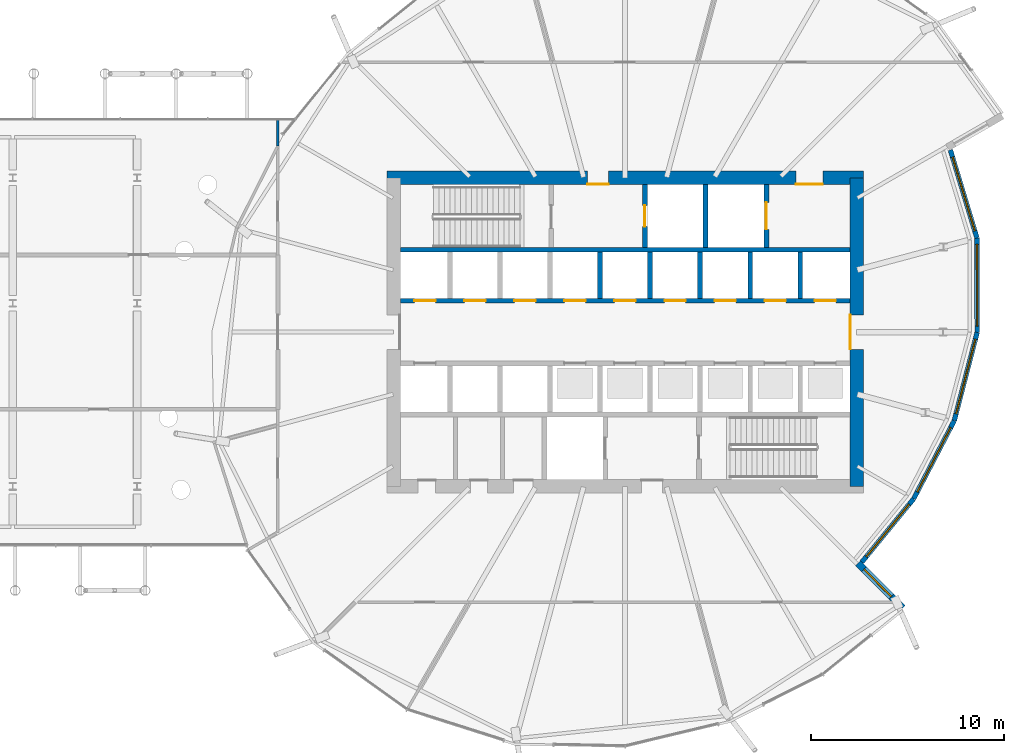
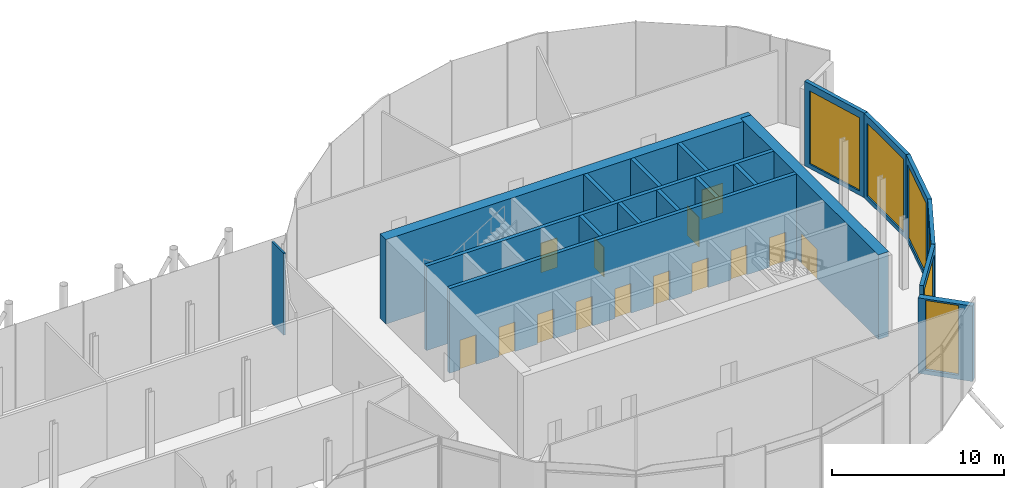
# One storey, part 23 of 38: 19 walls, 14 doors, 6 windows, 20 openings.
"""IFC4 building model written with IfcOpenShell, lengths in metres."""

from ifc_helpers import new_model, si_unit, direction, frame, frame_2d, origin, place, context, subcontext, project, spatial, rectangle, extrude, material, layer, layer_set, type_object, element, fill, save


model = new_model("IFC4")

# Units and contexts
model_context = context("Model", 3, precision=1e-05, world=origin(), true_north=direction((0.0, 1.0)))
body_context = subcontext(model_context, "Body", "Model", "MODEL_VIEW")
ifc_project = project(units=[si_unit("LENGTHUNIT", "METRE"), si_unit("AREAUNIT", "SQUARE_METRE"), si_unit("VOLUMEUNIT", "CUBIC_METRE"), si_unit("PLANEANGLEUNIT", "RADIAN"), si_unit("MASSUNIT", "GRAM", prefix="KILO")], contexts=[model_context])

# Site, building, storey
site_placement = place(None, origin())
site = spatial("IfcSite", under=ifc_project, at=site_placement, CompositionType="ELEMENT")
building_placement = place(site_placement, origin())
building = spatial("IfcBuilding", under=site, at=building_placement, Name="Rimbun Link Towers", CompositionType="ELEMENT")
storey_placement = place(building_placement, frame((0.0, 0.0, 133.199951171875)))
storey = spatial("IfcBuildingStorey", under=building, at=storey_placement, Name="L32", CompositionType="ELEMENT", Elevation=133.199951171875)

# Wall, opening, window
ifc_material_1 = material(Name="Dark enamelled glass spandrel on insulated aluminium backpan", Category="aluminium")
ifc_layer_1 = layer(ifc_material_1, 0.25)
ifc_layer_set_1 = layer_set([ifc_layer_1], Name="CS dark enamelled spandrel wall 250")
wall_type_1 = type_object("IfcWallType", Name="CS dark enamelled spandrel wall 250", PredefinedType="STANDARD", material=ifc_layer_set_1)
wall_1_placement = place(storey_placement, frame((46.711669921875, -8.646728515625, 0.0), z_axis=(0.0, 0.0, 1.0), x_axis=(-0.633071445917, -0.774093369281, 0.0)))
wall_1 = element("IfcWall", 1, at=wall_1_placement, inside=storey, type_object=wall_type_1, Name="Crease spandrel wall", PredefinedType="STANDARD", context=body_context, shape_type="SweptSolid", body=[
    extrude(rectangle(XDim=4.236328125, YDim=0.25, at=frame_2d((2.1181640625, 0.0))), origin(), (0.0, 0.0, 1.0), 6.0),
])
opening_1_placement = place(wall_1_placement, frame((0.3681640625, 0.0, 0.300048828125)))
opening_1 = element("IfcOpeningElement", 2, at=opening_1_placement, cuts=wall_1, Name="Opening WR35H520", PredefinedType="OPENING", context=body_context, shape_type="SweptSolid", body=[
    extrude(rectangle(XDim=3.5, YDim=5.199951171875, at=frame_2d((1.75, 2.60009765625))), frame((0.0, 0.135009765625, 0.0), z_axis=(0.0, -1.0, 0.0), x_axis=(1.0, 0.0, 0.0)), (0.0, 0.0, 1.0), 0.27001953125),
])
ifc_material_2 = material(Name="Aluminium framed fixed window, dark tinted low-e glass", Category="aluminium")
window_type_1 = type_object("IfcWindowType", Name="WR ribbon window 3500X5200", PartitioningType="SINGLE_PANEL", PredefinedType="WINDOW", material=ifc_material_2)
window_1_placement = place(opening_1_placement, origin())
window_1 = element("IfcWindow", 3, at=window_1_placement, inside=storey, type_object=window_type_1, Name="Crease ribbon window", OverallHeight=5.199951171875, OverallWidth=3.5, PartitioningType="SINGLE_PANEL", PredefinedType="WINDOW", context=body_context, shape_type="SweptSolid", body=[
    extrude(rectangle(XDim=3.5, YDim=5.199951171875, at=frame_2d((1.75, 2.60009765625))), frame((0.0, 0.030029296875, 0.0), z_axis=(0.0, -1.0, 0.0), x_axis=(1.0, 0.0, 0.0)), (0.0, 0.0, 1.0), 0.06005859375),
])
fill(opening_1, window_1)

wall_2_placement = place(storey_placement, frame((48.820556640625, -4.587646484375, 0.0), z_axis=(0.0, 0.0, 1.0), x_axis=(-0.46103677095, -0.887381031931, 0.0)))
wall_2 = element("IfcWall", 4, at=wall_2_placement, inside=storey, type_object=wall_type_1, Name="Crease spandrel wall", PredefinedType="STANDARD", context=body_context, shape_type="SweptSolid", body=[
    extrude(rectangle(XDim=4.57421875, YDim=0.25, at=frame_2d((2.287109375, 0.0))), origin(), (0.0, 0.0, 1.0), 6.0),
])
opening_2_placement = place(wall_2_placement, frame((0.412109375, 0.0, 0.300048828125)))
opening_2 = element("IfcOpeningElement", 5, at=opening_2_placement, cuts=wall_2, Name="Opening WR38H520", PredefinedType="OPENING", context=body_context, shape_type="SweptSolid", body=[
    extrude(rectangle(XDim=3.75, YDim=5.199951171875, at=frame_2d((1.875, 2.60009765625))), frame((0.0, 0.135009765625, 0.0), z_axis=(0.0, -1.0, 0.0), x_axis=(1.0, 0.0, 0.0)), (0.0, 0.0, 1.0), 0.27001953125),
])
ifc_material_3 = material(Name="Aluminium framed fixed window, dark tinted low-e glass", Category="aluminium")
window_type_2 = type_object("IfcWindowType", Name="WR ribbon window 3750X5200", PartitioningType="SINGLE_PANEL", PredefinedType="WINDOW", material=ifc_material_3)
window_2_placement = place(opening_2_placement, origin())
window_2 = element("IfcWindow", 6, at=window_2_placement, inside=storey, type_object=window_type_2, Name="Crease ribbon window", OverallHeight=5.199951171875, OverallWidth=3.75, PartitioningType="SINGLE_PANEL", PredefinedType="WINDOW", context=body_context, shape_type="SweptSolid", body=[
    extrude(rectangle(XDim=3.75, YDim=5.199951171875, at=frame_2d((1.875, 2.60009765625))), frame((0.0, 0.030029296875, 0.0), z_axis=(0.0, -1.0, 0.0), x_axis=(1.0, 0.0, 0.0)), (0.0, 0.0, 1.0), 0.06005859375),
])
fill(opening_2, window_2)

wall_3_placement = place(storey_placement, frame((50.00634765625, -0.015869140625, 0.0), z_axis=(0.0, 0.0, 1.0), x_axis=(-0.251064410387, -0.967970382727, 0.0)))
wall_3 = element("IfcWall", 7, at=wall_3_placement, inside=storey, type_object=wall_type_1, Name="Crease spandrel wall", PredefinedType="STANDARD", context=body_context, shape_type="SweptSolid", body=[
    extrude(rectangle(XDim=4.72314453125, YDim=0.25, at=frame_2d((2.361572265625, 0.0))), origin(), (0.0, 0.0, 1.0), 6.0),
])
opening_3_placement = place(wall_3_placement, frame((0.361572265625, 0.0, 0.300048828125)))
opening_3 = element("IfcOpeningElement", 8, at=opening_3_placement, cuts=wall_3, Name="Opening WR40H520", PredefinedType="OPENING", context=body_context, shape_type="SweptSolid", body=[
    extrude(rectangle(XDim=4.0, YDim=5.199951171875, at=frame_2d((2.0, 2.60009765625))), frame((0.0, 0.135009765625, 0.0), z_axis=(0.0, -1.0, 0.0), x_axis=(1.0, 0.0, 0.0)), (0.0, 0.0, 1.0), 0.27001953125),
])
ifc_material_4 = material(Name="Aluminium framed fixed window, dark tinted low-e glass", Category="aluminium")
window_type_3 = type_object("IfcWindowType", Name="WR ribbon window 4000X5200", PartitioningType="SINGLE_PANEL", PredefinedType="WINDOW", material=ifc_material_4)
window_3_placement = place(opening_3_placement, origin())
window_3 = element("IfcWindow", 9, at=window_3_placement, inside=storey, type_object=window_type_3, Name="Crease ribbon window", OverallHeight=5.199951171875, OverallWidth=4.0, PartitioningType="SINGLE_PANEL", PredefinedType="WINDOW", context=body_context, shape_type="SweptSolid", body=[
    extrude(rectangle(XDim=4.0, YDim=5.199951171875, at=frame_2d((2.0, 2.60009765625))), frame((0.0, 0.030029296875, 0.0), z_axis=(0.0, -1.0, 0.0), x_axis=(1.0, 0.0, 0.0)), (0.0, 0.0, 1.0), 0.06005859375),
])
fill(opening_3, window_3)

wall_4_placement = place(storey_placement, frame((49.998291015625, 4.874755859375, 0.0), z_axis=(0.0, 0.0, 1.0), x_axis=(0.001647361982, -0.999998643098, 0.0)))
wall_4 = element("IfcWall", 10, at=wall_4_placement, inside=storey, type_object=wall_type_1, Name="Crease spandrel wall", PredefinedType="STANDARD", context=body_context, shape_type="SweptSolid", body=[
    extrude(rectangle(XDim=4.890625, YDim=0.25, at=frame_2d((2.4453125, 0.0))), origin(), (0.0, 0.0, 1.0), 6.0),
])
opening_4_placement = place(wall_4_placement, frame((0.3203125, 0.0, 0.300048828125)))
opening_4 = element("IfcOpeningElement", 11, at=opening_4_placement, cuts=wall_4, Name="Opening WR42H520", PredefinedType="OPENING", context=body_context, shape_type="SweptSolid", body=[
    extrude(rectangle(XDim=4.25, YDim=5.199951171875, at=frame_2d((2.125, 2.60009765625))), frame((0.0, 0.135009765625, 0.0), z_axis=(0.0, -1.0, 0.0), x_axis=(1.0, 0.0, 0.0)), (0.0, 0.0, 1.0), 0.27001953125),
])
ifc_material_5 = material(Name="Aluminium framed fixed window, dark tinted low-e glass", Category="aluminium")
window_type_4 = type_object("IfcWindowType", Name="WR ribbon window 4250X5200", PartitioningType="SINGLE_PANEL", PredefinedType="WINDOW", material=ifc_material_5)
window_4_placement = place(opening_4_placement, origin())
window_4 = element("IfcWindow", 12, at=window_4_placement, inside=storey, type_object=window_type_4, Name="Crease ribbon window", OverallHeight=5.199951171875, OverallWidth=4.25, PartitioningType="SINGLE_PANEL", PredefinedType="WINDOW", context=body_context, shape_type="SweptSolid", body=[
    extrude(rectangle(XDim=4.25, YDim=5.199951171875, at=frame_2d((2.125, 2.60009765625))), frame((0.0, 0.030029296875, 0.0), z_axis=(0.0, -1.0, 0.0), x_axis=(1.0, 0.0, 0.0)), (0.0, 0.0, 1.0), 0.06005859375),
])
fill(opening_4, window_4)

wall_5_placement = place(storey_placement, frame((48.616943359375, 9.449462890625, 0.0), z_axis=(0.0, 0.0, 1.0), x_axis=(0.289062898136, -0.957310106977, 0.0)))
wall_5 = element("IfcWall", 13, at=wall_5_placement, inside=storey, type_object=wall_type_1, Name="Crease spandrel wall", PredefinedType="STANDARD", context=body_context, shape_type="SweptSolid", body=[
    extrude(rectangle(XDim=4.77880859375, YDim=0.25, at=frame_2d((2.389404296875, 0.0))), origin(), (0.0, 0.0, 1.0), 6.0),
])
opening_5_placement = place(wall_5_placement, frame((0.389404296875, 0.0, 0.300048828125)))
opening_5 = element("IfcOpeningElement", 14, at=opening_5_placement, cuts=wall_5, Name="Opening WR40H520", PredefinedType="OPENING", context=body_context, shape_type="SweptSolid", body=[
    extrude(rectangle(XDim=4.0, YDim=5.199951171875, at=frame_2d((2.0, 2.60009765625))), frame((0.0, 0.135009765625, 0.0), z_axis=(0.0, -1.0, 0.0), x_axis=(1.0, 0.0, 0.0)), (0.0, 0.0, 1.0), 0.27001953125),
])
window_5_placement = place(opening_5_placement, origin())
window_5 = element("IfcWindow", 15, at=window_5_placement, inside=storey, type_object=window_type_3, Name="Crease ribbon window", OverallHeight=5.199951171875, OverallWidth=4.0, PartitioningType="SINGLE_PANEL", PredefinedType="WINDOW", context=body_context, shape_type="SweptSolid", body=[
    extrude(rectangle(XDim=4.0, YDim=5.199951171875, at=frame_2d((2.0, 2.60009765625))), frame((0.0, 0.030029296875, 0.0), z_axis=(0.0, -1.0, 0.0), x_axis=(1.0, 0.0, 0.0)), (0.0, 0.0, 1.0), 0.06005859375),
])
fill(opening_5, window_5)

ifc_material_6 = material(Name="Dark enamelled glass spandrel on insulated aluminium backpan", Category="aluminium")
ifc_layer_2 = layer(ifc_material_6, 0.3701171875)
ifc_layer_set_2 = layer_set([ifc_layer_2], Name="CS dark enamelled spandrel wall 370")
wall_type_2 = type_object("IfcWallType", Name="CS dark enamelled spandrel wall 370", PredefinedType="STANDARD", material=ifc_layer_set_2)
wall_6_placement = place(storey_placement, frame((43.827880859375, -11.98583984375, 0.0), z_axis=(0.0, 0.0, 1.0), x_axis=(0.707106781187, -0.707106781187, 0.0)))
wall_6 = element("IfcWall", 16, at=wall_6_placement, inside=storey, type_object=wall_type_2, Name="Crease spandrel wall", PredefinedType="STANDARD", context=body_context, shape_type="SweptSolid", body=[
    extrude(rectangle(XDim=3.280029296875, YDim=0.3701171875, at=frame_2d((1.64013671875, 0.0))), origin(), (0.0, 0.0, 1.0), 5.356689453125),
])
opening_6_placement = place(wall_6_placement, frame((0.43994140625, 0.0, 0.300048828125)))
opening_6 = element("IfcOpeningElement", 17, at=opening_6_placement, cuts=wall_6, Name="Opening WR20H495", PredefinedType="OPENING", context=body_context, shape_type="SweptSolid", body=[
    extrude(rectangle(XDim=2.0, YDim=4.949951171875, at=frame_2d((1.0, 2.47509765625))), frame((0.0, 0.195068359375, 0.0), z_axis=(0.0, -1.0, 0.0), x_axis=(1.0, 0.0, 0.0)), (0.0, 0.0, 1.0), 0.39013671875),
])
ifc_material_7 = material(Name="Aluminium framed fixed window, dark tinted low-e glass", Category="aluminium")
window_type_5 = type_object("IfcWindowType", Name="WR ribbon window 2000X4950", PartitioningType="SINGLE_PANEL", PredefinedType="WINDOW", material=ifc_material_7)
window_6_placement = place(opening_6_placement, origin())
window_6 = element("IfcWindow", 18, at=window_6_placement, inside=storey, type_object=window_type_5, Name="Crease ribbon window", OverallHeight=4.949951171875, OverallWidth=2.0, PartitioningType="SINGLE_PANEL", PredefinedType="WINDOW", context=body_context, shape_type="SweptSolid", body=[
    extrude(rectangle(XDim=2.0, YDim=4.949951171875, at=frame_2d((1.0, 2.47509765625))), frame((0.0, 0.030029296875, 0.0), z_axis=(0.0, -1.0, 0.0), x_axis=(1.0, 0.0, 0.0)), (0.0, 0.0, 1.0), 0.06005859375),
])
fill(opening_6, window_6)

# Wall, openings, doors
ifc_material_8 = material(Name="Concrete C60/75", Category="concrete")
ifc_layer_3 = layer(ifc_material_8, 0.699951171875)
ifc_layer_set_3 = layer_set([ifc_layer_3], Name="Core shear wall 700")
wall_type_3 = type_object("IfcWallType", Name="Core shear wall 700", PredefinedType="SHEAR", material=ifc_layer_set_3)
wall_7_placement = place(storey_placement, frame((19.39990234375, 8.0, 0.0), z_axis=(0.0, 0.0, 1.0), x_axis=(1.0, 0.0, 0.0)))
wall_7 = element("IfcWall", 19, at=wall_7_placement, inside=storey, type_object=wall_type_3, Name="L32 T2 core wall N", PredefinedType="SHEAR", context=body_context, shape_type="SweptSolid", body=[
    extrude(rectangle(XDim=24.7001953125, YDim=0.699951171875, at=frame_2d((12.35009765625, 0.0))), origin(), (0.0, 0.0, 1.0), 6.0),
])
opening_7_placement = place(wall_7_placement, frame((10.39990234375, 0.0, 0.0)))
opening_7 = element("IfcOpeningElement", 20, at=opening_7_placement, cuts=wall_7, Name="Opening C2DCF01N", PredefinedType="OPENING", context=body_context, shape_type="SweptSolid", body=[
    extrude(rectangle(XDim=1.10009765625, YDim=2.10009765625, at=frame_2d((0.550048828125, 1.050048828125))), frame((0.0, 0.35986328125, 0.0), z_axis=(0.0, -1.0, 0.0), x_axis=(1.0, 0.0, 0.0)), (0.0, 0.0, 1.0), 0.719970703125),
])
opening_8_placement = place(wall_7_placement, frame((21.199951171875, 0.0, 0.0)))
opening_8 = element("IfcOpeningElement", 21, at=opening_8_placement, cuts=wall_7, Name="Opening C2DSL02N", PredefinedType="OPENING", context=body_context, shape_type="SweptSolid", body=[
    extrude(rectangle(XDim=1.39990234375, YDim=2.10009765625, at=frame_2d((0.699951171875, 1.050048828125))), frame((0.0, 0.35986328125, 0.0), z_axis=(0.0, -1.0, 0.0), x_axis=(1.0, 0.0, 0.0)), (0.0, 0.0, 1.0), 0.719970703125),
])
ifc_material_9 = material(Name="Steel fire door set", Category="steel")
door_type_1 = type_object("IfcDoorType", Name="Core fire door single", OperationType="SINGLE_SWING_LEFT", PredefinedType="DOOR", material=ifc_material_9)
door_1_placement = place(opening_7_placement, origin())
door_1 = element("IfcDoor", 22, at=door_1_placement, inside=storey, type_object=door_type_1, Name="L32 T2 firefighting lobby n door", OperationType="SINGLE_SWING_LEFT", OverallHeight=2.10009765625, OverallWidth=1.10009765625, PredefinedType="DOOR", context=body_context, shape_type="SweptSolid", body=[
    extrude(rectangle(XDim=1.10009765625, YDim=2.10009765625, at=frame_2d((0.550048828125, 1.050048828125))), frame((0.0, -0.2998046875, 0.0), z_axis=(0.0, -1.0, 0.0), x_axis=(1.0, 0.0, 0.0)), (0.0, 0.0, 1.0), 0.050048828125),
])
fill(opening_7, door_1)
ifc_material_10 = material(Name="Steel fire door set", Category="steel")
door_type_2 = type_object("IfcDoorType", Name="Service lobby door double", OperationType="DOUBLE_DOOR_SINGLE_SWING", PredefinedType="DOOR", material=ifc_material_10)
door_2_placement = place(opening_8_placement, origin())
door_2 = element("IfcDoor", 23, at=door_2_placement, inside=storey, type_object=door_type_2, Name="L32 T2 service lobby door", OperationType="DOUBLE_DOOR_SINGLE_SWING", OverallHeight=2.10009765625, OverallWidth=1.39990234375, PredefinedType="DOOR", context=body_context, shape_type="SweptSolid", body=[
    extrude(rectangle(XDim=1.39990234375, YDim=2.10009765625, at=frame_2d((0.699951171875, 1.050048828125))), frame((0.0, -0.2998046875, 0.0), z_axis=(0.0, -1.0, 0.0), x_axis=(1.0, 0.0, 0.0)), (0.0, 0.0, 1.0), 0.050048828125),
])
fill(opening_8, door_2)

# Wall, opening, door
wall_8_placement = place(storey_placement, frame((43.75, -8.0, 0.0), z_axis=(0.0, 0.0, 1.0), x_axis=(0.0, 1.0, 0.0)))
wall_8 = element("IfcWall", 24, at=wall_8_placement, inside=storey, type_object=wall_type_3, Name="L32 T2 core wall E", PredefinedType="SHEAR", context=body_context, shape_type="SweptSolid", body=[
    extrude(rectangle(XDim=16.0, YDim=0.699951171875, at=frame_2d((8.0, 0.0))), origin(), (0.0, 0.0, 1.0), 6.0),
])
opening_9_placement = place(wall_8_placement, frame((7.10009765625, 0.0, 0.0)))
opening_9 = element("IfcOpeningElement", 25, at=opening_9_placement, cuts=wall_8, Name="Opening C2DCL01E", PredefinedType="OPENING", context=body_context, shape_type="SweptSolid", body=[
    extrude(rectangle(XDim=1.800048828125, YDim=2.10009765625, at=frame_2d((0.89990234375, 1.050048828125))), frame((0.0, 0.35986328125, 0.0), z_axis=(0.0, -1.0, 0.0), x_axis=(1.0, 0.0, 0.0)), (0.0, 0.0, 1.0), 0.719970703125),
])
ifc_material_11 = material(Name="Steel fire door set", Category="steel")
door_type_3 = type_object("IfcDoorType", Name="Core lobby door double", OperationType="DOUBLE_DOOR_SINGLE_SWING", PredefinedType="DOOR", material=ifc_material_11)
door_3_placement = place(opening_9_placement, origin())
door_3 = element("IfcDoor", 26, at=door_3_placement, inside=storey, type_object=door_type_3, Name="L32 T2 lift lobby door", OperationType="DOUBLE_DOOR_SINGLE_SWING", OverallHeight=2.10009765625, OverallWidth=1.800048828125, PredefinedType="DOOR", context=body_context, shape_type="SweptSolid", body=[
    extrude(rectangle(XDim=1.800048828125, YDim=2.10009765625, at=frame_2d((0.89990234375, 1.050048828125))), frame((0.0, 0.35009765625, 0.0), z_axis=(0.0, -1.0, 0.0), x_axis=(1.0, 0.0, 0.0)), (0.0, 0.0, 1.0), 0.050048828125),
])
fill(opening_9, door_3)

# Walls
ifc_material_12 = material(Name="Gypsum board on steel studs", Category="steel")
ifc_layer_4 = layer(ifc_material_12, 0.125)
ifc_layer_set_4 = layer_set([ifc_layer_4], Name="Partition 125 board on studs")
wall_type_4 = type_object("IfcWallType", Name="Partition 125 board on studs", PredefinedType="PARTITIONING", material=ifc_layer_set_4)
wall_9_placement = place(storey_placement, frame((13.75, 11.080078125, 0.0), z_axis=(0.0, 0.0, 1.0), x_axis=(0.0, -1.0, 0.0)))
element("IfcWall", 27, at=wall_9_placement, inside=storey, type_object=wall_type_4, Name="TW/PW/L32/038", PredefinedType="PARTITIONING", context=body_context, shape_type="SweptSolid", body=[
    extrude(rectangle(XDim=1.4208984375, YDim=0.125, at=frame_2d((0.71044921875, 0.0))), origin(), (0.0, 0.0, 1.0), 5.820068359375),
])
ifc_material_13 = material(Name="Concrete C60/75", Category="concrete")
ifc_layer_5 = layer(ifc_material_13, 0.25)
ifc_layer_set_5 = layer_set([ifc_layer_5], Name="Shaft wall 250")
wall_type_5 = type_object("IfcWallType", Name="Shaft wall 250", PredefinedType="SHEAR", material=ifc_layer_set_5)
wall_10_placement = place(storey_placement, frame((20.10009765625, 4.27490234375, 0.0), z_axis=(0.0, 0.0, 1.0), x_axis=(1.0, 0.0, 0.0)))
element("IfcWall", 28, at=wall_10_placement, inside=storey, type_object=wall_type_5, Name="L32 T2 core wall BN", PredefinedType="SHEAR", context=body_context, shape_type="SweptSolid", body=[
    extrude(rectangle(XDim=23.2998046875, YDim=0.25, at=frame_2d((11.64990234375, 0.0))), origin(), (0.0, 0.0, 1.0), 6.0),
])

# Wall, openings, doors
wall_11_placement = place(storey_placement, frame((20.10009765625, 1.625, 0.0), z_axis=(0.0, 0.0, 1.0), x_axis=(1.0, 0.0, 0.0)))
wall_11 = element("IfcWall", 29, at=wall_11_placement, inside=storey, type_object=wall_type_5, Name="L32 T2 core wall FN", PredefinedType="SHEAR", context=body_context, shape_type="SweptSolid", body=[
    extrude(rectangle(XDim=23.2998046875, YDim=0.25, at=frame_2d((11.64990234375, 0.0))), origin(), (0.0, 0.0, 1.0), 6.0),
])
opening_10_placement = place(wall_11_placement, frame((0.72216796875, 0.0, 0.0)))
opening_10 = element("IfcOpeningElement", 30, at=opening_10_placement, cuts=wall_11, Name="Opening LD-T2-LR1", PredefinedType="OPENING", context=body_context, shape_type="SweptSolid", body=[
    extrude(rectangle(XDim=1.10009765625, YDim=2.10009765625, at=frame_2d((0.550048828125, 1.050048828125))), frame((0.0, 0.135009765625, 0.0), z_axis=(0.0, -1.0, 0.0), x_axis=(1.0, 0.0, 0.0)), (0.0, 0.0, 1.0), 0.27001953125),
])
opening_11_placement = place(wall_11_placement, frame((3.316650390625, 0.0, 0.0)))
opening_11 = element("IfcOpeningElement", 31, at=opening_11_placement, cuts=wall_11, Name="Opening LD-T2-LR2", PredefinedType="OPENING", context=body_context, shape_type="SweptSolid", body=[
    extrude(rectangle(XDim=1.10009765625, YDim=2.10009765625, at=frame_2d((0.550048828125, 1.050048828125))), frame((0.0, 0.135009765625, 0.0), z_axis=(0.0, -1.0, 0.0), x_axis=(1.0, 0.0, 0.0)), (0.0, 0.0, 1.0), 0.27001953125),
])
opening_12_placement = place(wall_11_placement, frame((5.9111328125, 0.0, 0.0)))
opening_12 = element("IfcOpeningElement", 32, at=opening_12_placement, cuts=wall_11, Name="Opening LD-T2-LR3", PredefinedType="OPENING", context=body_context, shape_type="SweptSolid", body=[
    extrude(rectangle(XDim=1.10009765625, YDim=2.10009765625, at=frame_2d((0.550048828125, 1.050048828125))), frame((0.0, 0.135009765625, 0.0), z_axis=(0.0, -1.0, 0.0), x_axis=(1.0, 0.0, 0.0)), (0.0, 0.0, 1.0), 0.27001953125),
])
opening_13_placement = place(wall_11_placement, frame((8.505615234375, 0.0, 0.0)))
opening_13 = element("IfcOpeningElement", 33, at=opening_13_placement, cuts=wall_11, Name="Opening LD-T2-LR4", PredefinedType="OPENING", context=body_context, shape_type="SweptSolid", body=[
    extrude(rectangle(XDim=1.10009765625, YDim=2.10009765625, at=frame_2d((0.550048828125, 1.050048828125))), frame((0.0, 0.135009765625, 0.0), z_axis=(0.0, -1.0, 0.0), x_axis=(1.0, 0.0, 0.0)), (0.0, 0.0, 1.0), 0.27001953125),
])
opening_14_placement = place(wall_11_placement, frame((11.10009765625, 0.0, 0.0)))
opening_14 = element("IfcOpeningElement", 34, at=opening_14_placement, cuts=wall_11, Name="Opening LD-T2-LR5", PredefinedType="OPENING", context=body_context, shape_type="SweptSolid", body=[
    extrude(rectangle(XDim=1.10009765625, YDim=2.10009765625, at=frame_2d((0.550048828125, 1.050048828125))), frame((0.0, 0.135009765625, 0.0), z_axis=(0.0, -1.0, 0.0), x_axis=(1.0, 0.0, 0.0)), (0.0, 0.0, 1.0), 0.27001953125),
])
opening_15_placement = place(wall_11_placement, frame((13.6943359375, 0.0, 0.0)))
opening_15 = element("IfcOpeningElement", 35, at=opening_15_placement, cuts=wall_11, Name="Opening LD-T2-LR6", PredefinedType="OPENING", context=body_context, shape_type="SweptSolid", body=[
    extrude(rectangle(XDim=1.10009765625, YDim=2.10009765625, at=frame_2d((0.550048828125, 1.050048828125))), frame((0.0, 0.135009765625, 0.0), z_axis=(0.0, -1.0, 0.0), x_axis=(1.0, 0.0, 0.0)), (0.0, 0.0, 1.0), 0.27001953125),
])
opening_16_placement = place(wall_11_placement, frame((16.288818359375, 0.0, 0.0)))
opening_16 = element("IfcOpeningElement", 36, at=opening_16_placement, cuts=wall_11, Name="Opening LD-T2-SH1", PredefinedType="OPENING", context=body_context, shape_type="SweptSolid", body=[
    extrude(rectangle(XDim=1.10009765625, YDim=2.10009765625, at=frame_2d((0.550048828125, 1.050048828125))), frame((0.0, 0.135009765625, 0.0), z_axis=(0.0, -1.0, 0.0), x_axis=(1.0, 0.0, 0.0)), (0.0, 0.0, 1.0), 0.27001953125),
])
opening_17_placement = place(wall_11_placement, frame((18.88330078125, 0.0, 0.0)))
opening_17 = element("IfcOpeningElement", 37, at=opening_17_placement, cuts=wall_11, Name="Opening LD-T2-SH2", PredefinedType="OPENING", context=body_context, shape_type="SweptSolid", body=[
    extrude(rectangle(XDim=1.10009765625, YDim=2.10009765625, at=frame_2d((0.550048828125, 1.050048828125))), frame((0.0, 0.135009765625, 0.0), z_axis=(0.0, -1.0, 0.0), x_axis=(1.0, 0.0, 0.0)), (0.0, 0.0, 1.0), 0.27001953125),
])
opening_18_placement = place(wall_11_placement, frame((21.477783203125, 0.0, 0.0)))
opening_18 = element("IfcOpeningElement", 38, at=opening_18_placement, cuts=wall_11, Name="Opening LD-T2-SH3", PredefinedType="OPENING", context=body_context, shape_type="SweptSolid", body=[
    extrude(rectangle(XDim=1.10009765625, YDim=2.10009765625, at=frame_2d((0.550048828125, 1.050048828125))), frame((0.0, 0.135009765625, 0.0), z_axis=(0.0, -1.0, 0.0), x_axis=(1.0, 0.0, 0.0)), (0.0, 0.0, 1.0), 0.27001953125),
])
ifc_material_14 = material(Name="Stainless steel grade 316", Category="steel")
door_type_4 = type_object("IfcDoorType", Name="Lift landing door", OperationType="DOUBLE_DOOR_SLIDING", PredefinedType="DOOR", material=ifc_material_14)
door_4_placement = place(opening_10_placement, origin())
door_4 = element("IfcDoor", 39, at=door_4_placement, inside=storey, type_object=door_type_4, Name="L32 T2 lift LR1 landing door", OperationType="DOUBLE_DOOR_SLIDING", OverallHeight=2.10009765625, OverallWidth=1.10009765625, PredefinedType="DOOR", context=body_context, shape_type="SweptSolid", body=[
    extrude(rectangle(XDim=1.10009765625, YDim=2.10009765625, at=frame_2d((0.550048828125, 1.050048828125))), frame((0.0, 0.02490234375, 0.0), z_axis=(0.0, -1.0, 0.0), x_axis=(1.0, 0.0, 0.0)), (0.0, 0.0, 1.0), 0.050048828125),
])
fill(opening_10, door_4)
door_5_placement = place(opening_11_placement, origin())
door_5 = element("IfcDoor", 40, at=door_5_placement, inside=storey, type_object=door_type_4, Name="L32 T2 lift LR2 landing door", OperationType="DOUBLE_DOOR_SLIDING", OverallHeight=2.10009765625, OverallWidth=1.10009765625, PredefinedType="DOOR", context=body_context, shape_type="SweptSolid", body=[
    extrude(rectangle(XDim=1.10009765625, YDim=2.10009765625, at=frame_2d((0.550048828125, 1.050048828125))), frame((0.0, 0.02490234375, 0.0), z_axis=(0.0, -1.0, 0.0), x_axis=(1.0, 0.0, 0.0)), (0.0, 0.0, 1.0), 0.050048828125),
])
fill(opening_11, door_5)
door_6_placement = place(opening_12_placement, origin())
door_6 = element("IfcDoor", 41, at=door_6_placement, inside=storey, type_object=door_type_4, Name="L32 T2 lift LR3 landing door", OperationType="DOUBLE_DOOR_SLIDING", OverallHeight=2.10009765625, OverallWidth=1.10009765625, PredefinedType="DOOR", context=body_context, shape_type="SweptSolid", body=[
    extrude(rectangle(XDim=1.10009765625, YDim=2.10009765625, at=frame_2d((0.550048828125, 1.050048828125))), frame((0.0, 0.02490234375, 0.0), z_axis=(0.0, -1.0, 0.0), x_axis=(1.0, 0.0, 0.0)), (0.0, 0.0, 1.0), 0.050048828125),
])
fill(opening_12, door_6)
door_7_placement = place(opening_13_placement, origin())
door_7 = element("IfcDoor", 42, at=door_7_placement, inside=storey, type_object=door_type_4, Name="L32 T2 lift LR4 landing door", OperationType="DOUBLE_DOOR_SLIDING", OverallHeight=2.10009765625, OverallWidth=1.10009765625, PredefinedType="DOOR", context=body_context, shape_type="SweptSolid", body=[
    extrude(rectangle(XDim=1.10009765625, YDim=2.10009765625, at=frame_2d((0.550048828125, 1.050048828125))), frame((0.0, 0.02490234375, 0.0), z_axis=(0.0, -1.0, 0.0), x_axis=(1.0, 0.0, 0.0)), (0.0, 0.0, 1.0), 0.050048828125),
])
fill(opening_13, door_7)
door_8_placement = place(opening_14_placement, origin())
door_8 = element("IfcDoor", 43, at=door_8_placement, inside=storey, type_object=door_type_4, Name="L32 T2 lift LR5 landing door", OperationType="DOUBLE_DOOR_SLIDING", OverallHeight=2.10009765625, OverallWidth=1.10009765625, PredefinedType="DOOR", context=body_context, shape_type="SweptSolid", body=[
    extrude(rectangle(XDim=1.10009765625, YDim=2.10009765625, at=frame_2d((0.550048828125, 1.050048828125))), frame((0.0, 0.02490234375, 0.0), z_axis=(0.0, -1.0, 0.0), x_axis=(1.0, 0.0, 0.0)), (0.0, 0.0, 1.0), 0.050048828125),
])
fill(opening_14, door_8)
door_9_placement = place(opening_15_placement, origin())
door_9 = element("IfcDoor", 44, at=door_9_placement, inside=storey, type_object=door_type_4, Name="L32 T2 lift LR6 landing door", OperationType="DOUBLE_DOOR_SLIDING", OverallHeight=2.10009765625, OverallWidth=1.10009765625, PredefinedType="DOOR", context=body_context, shape_type="SweptSolid", body=[
    extrude(rectangle(XDim=1.10009765625, YDim=2.10009765625, at=frame_2d((0.550048828125, 1.050048828125))), frame((0.0, 0.02490234375, 0.0), z_axis=(0.0, -1.0, 0.0), x_axis=(1.0, 0.0, 0.0)), (0.0, 0.0, 1.0), 0.050048828125),
])
fill(opening_15, door_9)
door_10_placement = place(opening_16_placement, origin())
door_10 = element("IfcDoor", 45, at=door_10_placement, inside=storey, type_object=door_type_4, Name="L32 T2 lift SH1 landing door", OperationType="DOUBLE_DOOR_SLIDING", OverallHeight=2.10009765625, OverallWidth=1.10009765625, PredefinedType="DOOR", context=body_context, shape_type="SweptSolid", body=[
    extrude(rectangle(XDim=1.10009765625, YDim=2.10009765625, at=frame_2d((0.550048828125, 1.050048828125))), frame((0.0, 0.02490234375, 0.0), z_axis=(0.0, -1.0, 0.0), x_axis=(1.0, 0.0, 0.0)), (0.0, 0.0, 1.0), 0.050048828125),
])
fill(opening_16, door_10)
door_11_placement = place(opening_17_placement, origin())
door_11 = element("IfcDoor", 46, at=door_11_placement, inside=storey, type_object=door_type_4, Name="L32 T2 lift SH2 landing door", OperationType="DOUBLE_DOOR_SLIDING", OverallHeight=2.10009765625, OverallWidth=1.10009765625, PredefinedType="DOOR", context=body_context, shape_type="SweptSolid", body=[
    extrude(rectangle(XDim=1.10009765625, YDim=2.10009765625, at=frame_2d((0.550048828125, 1.050048828125))), frame((0.0, 0.02490234375, 0.0), z_axis=(0.0, -1.0, 0.0), x_axis=(1.0, 0.0, 0.0)), (0.0, 0.0, 1.0), 0.050048828125),
])
fill(opening_17, door_11)
door_12_placement = place(opening_18_placement, origin())
door_12 = element("IfcDoor", 47, at=door_12_placement, inside=storey, type_object=door_type_4, Name="L32 T2 lift SH3 landing door", OperationType="DOUBLE_DOOR_SLIDING", OverallHeight=2.10009765625, OverallWidth=1.10009765625, PredefinedType="DOOR", context=body_context, shape_type="SweptSolid", body=[
    extrude(rectangle(XDim=1.10009765625, YDim=2.10009765625, at=frame_2d((0.550048828125, 1.050048828125))), frame((0.0, 0.02490234375, 0.0), z_axis=(0.0, -1.0, 0.0), x_axis=(1.0, 0.0, 0.0)), (0.0, 0.0, 1.0), 0.050048828125),
])
fill(opening_18, door_12)

# Walls
for number, where, z_axis, x_axis, name in (
    (48, (30.452880859375, 1.75, 0.0), (0.0, 0.0, 1.0), (0.0, 1.0, 0.0), "L32 T2 core wall DN3"),
    (49, (33.047119140625, 1.75, 0.0), (0.0, 0.0, 1.0), (0.0, 1.0, 0.0), "L32 T2 core wall DN4"),
    (50, (35.6416015625, 1.75, 0.0), (0.0, 0.0, 1.0), (0.0, 1.0, 0.0), "L32 T2 core wall DN5"),
    (51, (38.236083984375, 1.75, 0.0), (0.0, 0.0, 1.0), (0.0, 1.0, 0.0), "L32 T2 core wall DN6"),
    (52, (40.83056640625, 1.75, 0.0), (0.0, 0.0, 1.0), (0.0, 1.0, 0.0), "L32 T2 core wall DN7"),
):
    element("IfcWall", number, at=place(storey_placement, frame(where, z_axis=z_axis, x_axis=x_axis)), inside=storey, type_object=wall_type_5, Name=name, PredefinedType="SHEAR", context=body_context, shape_type="SweptSolid", body=[
        extrude(rectangle(XDim=2.39990234375, YDim=0.25, at=frame_2d((1.199951171875, 0.0))), origin(), (0.0, 0.0, 1.0), 6.0),
    ])

# Wall, opening, door
wall_12_placement = place(storey_placement, frame((32.77490234375, 4.39990234375, 0.0), z_axis=(0.0, 0.0, 1.0), x_axis=(0.0, 1.0, 0.0)))
wall_12 = element("IfcWall", 53, at=wall_12_placement, inside=storey, type_object=wall_type_5, Name="L32 T2 core wall A2", PredefinedType="SHEAR", context=body_context, shape_type="SweptSolid", body=[
    extrude(rectangle(XDim=3.25, YDim=0.25, at=frame_2d((1.625, 0.0))), origin(), (0.0, 0.0, 1.0), 6.0),
])
opening_19_placement = place(wall_12_placement, frame((1.074951171875, 0.0, 0.0)))
opening_19 = element("IfcOpeningElement", 54, at=opening_19_placement, cuts=wall_12, Name="Opening LD-T2-FF1", PredefinedType="OPENING", context=body_context, shape_type="SweptSolid", body=[
    extrude(rectangle(XDim=1.10009765625, YDim=2.10009765625, at=frame_2d((0.550048828125, 1.050048828125))), frame((0.0, 0.135009765625, 0.0), z_axis=(0.0, -1.0, 0.0), x_axis=(1.0, 0.0, 0.0)), (0.0, 0.0, 1.0), 0.27001953125),
])
door_13_placement = place(opening_19_placement, origin())
door_13 = element("IfcDoor", 55, at=door_13_placement, inside=storey, type_object=door_type_4, Name="L32 T2 lift FF1 landing door", OperationType="DOUBLE_DOOR_SLIDING", OverallHeight=2.10009765625, OverallWidth=1.10009765625, PredefinedType="DOOR", context=body_context, shape_type="SweptSolid", body=[
    extrude(rectangle(XDim=1.10009765625, YDim=2.10009765625, at=frame_2d((0.550048828125, 1.050048828125))), frame((0.0, 0.02490234375, 0.0), z_axis=(0.0, -1.0, 0.0), x_axis=(1.0, 0.0, 0.0)), (0.0, 0.0, 1.0), 0.050048828125),
])
fill(opening_19, door_13)

# Wall
wall_13_placement = place(storey_placement, frame((35.925048828125, 4.39990234375, 0.0), z_axis=(0.0, 0.0, 1.0), x_axis=(0.0, 1.0, 0.0)))
element("IfcWall", 56, at=wall_13_placement, inside=storey, type_object=wall_type_5, Name="L32 T2 core wall A3", PredefinedType="SHEAR", context=body_context, shape_type="SweptSolid", body=[
    extrude(rectangle(XDim=3.25, YDim=0.25, at=frame_2d((1.625, 0.0))), origin(), (0.0, 0.0, 1.0), 6.0),
])

# Wall, opening, door
wall_14_placement = place(storey_placement, frame((39.074951171875, 4.39990234375, 0.0), z_axis=(0.0, 0.0, 1.0), x_axis=(0.0, 1.0, 0.0)))
wall_14 = element("IfcWall", 57, at=wall_14_placement, inside=storey, type_object=wall_type_5, Name="L32 T2 core wall A4", PredefinedType="SHEAR", context=body_context, shape_type="SweptSolid", body=[
    extrude(rectangle(XDim=3.25, YDim=0.25, at=frame_2d((1.625, 0.0))), origin(), (0.0, 0.0, 1.0), 6.0),
])
opening_20_placement = place(wall_14_placement, frame((0.925048828125, 0.0, 0.0)))
opening_20 = element("IfcOpeningElement", 58, at=opening_20_placement, cuts=wall_14, Name="Opening LD-T2-GL1", PredefinedType="OPENING", context=body_context, shape_type="SweptSolid", body=[
    extrude(rectangle(XDim=1.39990234375, YDim=2.10009765625, at=frame_2d((0.699951171875, 1.050048828125))), frame((0.0, 0.135009765625, 0.0), z_axis=(0.0, -1.0, 0.0), x_axis=(1.0, 0.0, 0.0)), (0.0, 0.0, 1.0), 0.27001953125),
])
ifc_material_15 = material(Name="Stainless steel grade 316", Category="steel")
door_type_5 = type_object("IfcDoorType", Name="Goods lift landing door", OperationType="DOUBLE_DOOR_SLIDING", PredefinedType="DOOR", material=ifc_material_15)
door_14_placement = place(opening_20_placement, origin())
door_14 = element("IfcDoor", 59, at=door_14_placement, inside=storey, type_object=door_type_5, Name="L32 T2 lift GL1 landing door", OperationType="DOUBLE_DOOR_SLIDING", OverallHeight=2.10009765625, OverallWidth=1.39990234375, PredefinedType="DOOR", context=body_context, shape_type="SweptSolid", body=[
    extrude(rectangle(XDim=1.39990234375, YDim=2.10009765625, at=frame_2d((0.699951171875, 1.050048828125))), frame((0.0, 0.02490234375, 0.0), z_axis=(0.0, -1.0, 0.0), x_axis=(1.0, 0.0, 0.0)), (0.0, 0.0, 1.0), 0.050048828125),
])
fill(opening_20, door_14)

save(model, "model.ifc")
